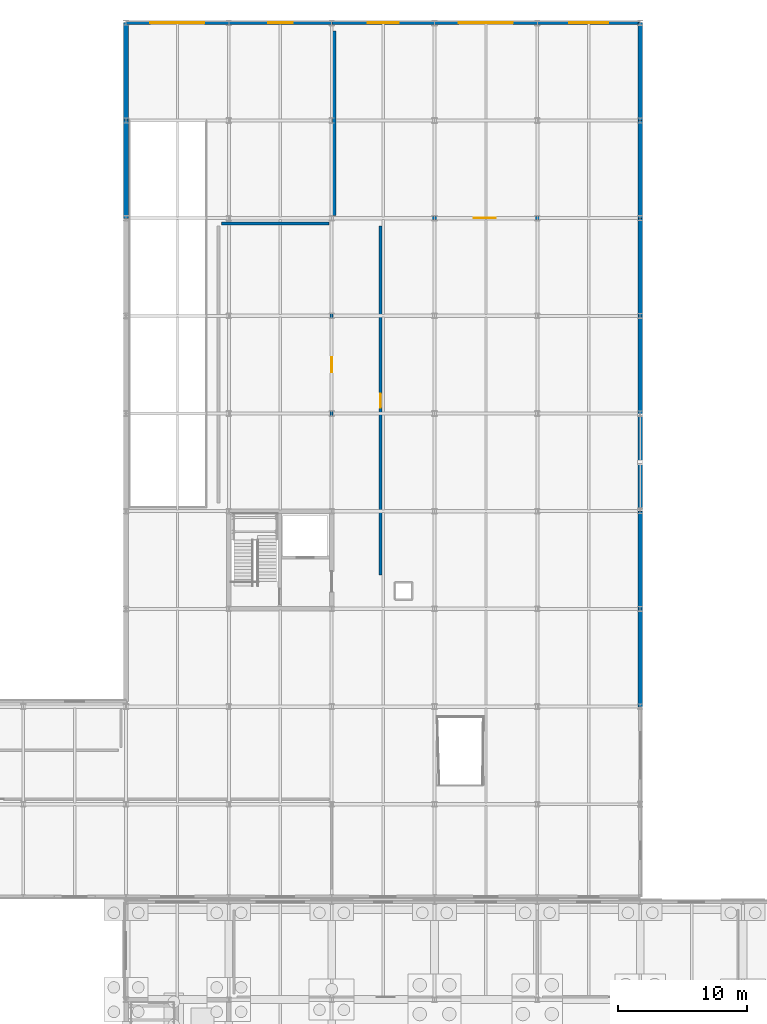
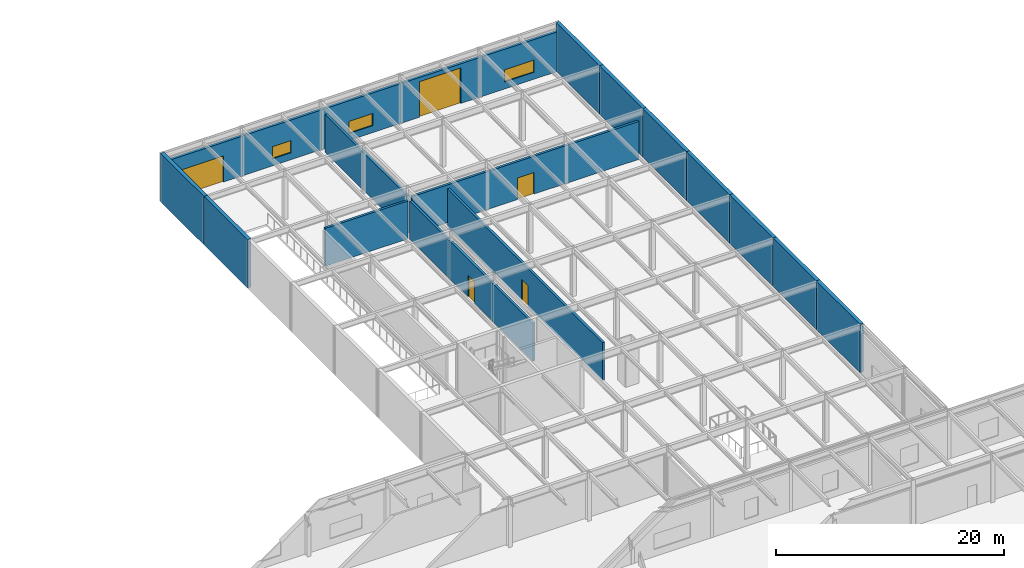
# One storey, part 46 of 62: 19 walls, 5 doors, 3 windows, 8 openings.
"""IFC4 building model written with IfcOpenShell, lengths in metres."""

import ifcopenshell
import ifcopenshell.guid

model = None  # the IFC model being written
_history = None  # IfcOwnerHistory: only IFC2X3 demands one
_inside = {}  # id of a spatial element -> (the spatial element, [elements in it])
_under = {}  # id of a project, library or spatial element -> (it, [spatial elements below it])
_declared = {}  # id of a project -> (the project, [libraries it declares])
_typed = {}  # id of a type object -> (the type object, [elements of that type])
_made_of = {}  # id of a material, layer set ... -> (it, [elements and type objects made of it])


def new_model(schema):
    """Start an empty IFC model of exactly this schema.

    Asked for "IFC4X3", IfcOpenShell would pick the latest addendum, in which some entities
    have other attributes; the version numbers below select the first issue.
    IFC2X3 requires an IfcOwnerHistory on every rooted entity: one is made here for all.
    """
    global model, _history
    if schema == "IFC4X3":
        model = ifcopenshell.file(schema_version=(4, 3, 0, 0))
    else:
        model = ifcopenshell.file(schema=schema)
    _inside.clear()
    _under.clear()
    _declared.clear()
    _typed.clear()
    _made_of.clear()
    _history = None
    if model.schema == "IFC2X3":
        org = make("IfcOrganization", Name="unknown")
        user = make(
            "IfcPersonAndOrganization",
            ThePerson=make("IfcPerson", FamilyName="unknown"),
            TheOrganization=org,
        )
        app = make(
            "IfcApplication",
            ApplicationDeveloper=org,
            Version="unknown",
            ApplicationFullName="unknown",
            ApplicationIdentifier="unknown",
        )
        _history = make(
            "IfcOwnerHistory",
            OwningUser=user,
            OwningApplication=app,
            ChangeAction="ADDED",
            CreationDate=0,
        )
    return model


def make(cls, **values):
    """One entity of the class cls with the attributes given. An attribute that is None is left unset."""
    return model.create_entity(
        cls, **{name: value for name, value in values.items() if value is not None}
    )


def rooted(cls, **values):
    """An entity with a GlobalId (a new one), such as an element, a storey or a relation."""
    return make(cls, GlobalId=ifcopenshell.guid.new(), OwnerHistory=_history, **values)


def si_unit(unit_type, name, prefix=None):
    """IfcSIUnit, for example si_unit("LENGTHUNIT", "METRE", prefix="MILLI")."""
    return make("IfcSIUnit", UnitType=unit_type, Prefix=prefix, Name=name)


def assignment(units):
    """IfcUnitAssignment: the units of a project."""
    return None if units is None else make("IfcUnitAssignment", Units=units)


def point(xyz):
    """IfcCartesianPoint."""
    return None if xyz is None else make("IfcCartesianPoint", Coordinates=xyz)


def direction(xyz):
    """IfcDirection."""
    return None if xyz is None else make("IfcDirection", DirectionRatios=xyz)


def frame(location, z_axis=None, x_axis=None):
    """IfcAxis2Placement3D, a coordinate frame: its origin and axes. An axis left out is left unset."""
    return make(
        "IfcAxis2Placement3D",
        Location=point(location),
        Axis=direction(z_axis),
        RefDirection=direction(x_axis),
    )


def frame_2d(location, x_axis=None):
    """IfcAxis2Placement2D, a coordinate frame in the plane: its origin and x axis."""
    return make(
        "IfcAxis2Placement2D", Location=point(location), RefDirection=direction(x_axis)
    )


def origin():
    """The frame at (0, 0, 0) with its axes left unset."""
    return frame((0.0, 0.0, 0.0))


def place(relative_to, where):
    """IfcLocalPlacement: puts the frame where relative to a parent placement (None: the world)."""
    return make(
        "IfcLocalPlacement", PlacementRelTo=relative_to, RelativePlacement=where
    )


def context(
    kind, dimensions, precision=None, world=None, true_north=None, identifier=None
):
    """IfcGeometricRepresentationContext, for example the 3D "Model" context."""
    return make(
        "IfcGeometricRepresentationContext",
        ContextIdentifier=identifier,
        ContextType=kind,
        CoordinateSpaceDimension=dimensions,
        Precision=precision,
        WorldCoordinateSystem=world,
        TrueNorth=true_north,
    )


def subcontext(parent, identifier, kind, view, scale=None):
    """IfcGeometricRepresentationSubContext, for example "Body" below "Model"."""
    return make(
        "IfcGeometricRepresentationSubContext",
        ContextIdentifier=identifier,
        ContextType=kind,
        ParentContext=parent,
        TargetScale=scale,
        TargetView=view,
    )


def project(units=None, contexts=None):
    """IfcProject with its units and contexts."""
    return rooted(
        "IfcProject",
        Name="project",
        RepresentationContexts=contexts,
        UnitsInContext=assignment(units),
    )


def spatial(cls, under=None, at=None, **own):
    """A site, building, storey or space (cls), placed at a placement, below another one or the project."""
    s = rooted(cls, ObjectPlacement=at, **own)
    if under is not None:
        _under.setdefault(under.id(), (under, []))[1].append(s)
    return s


def profile(cls, at=None, kind="AREA", **sizes):
    """A parametric profile (cls). Its sizes go by their IFC names, for example OverallWidth=200.0."""
    return make(cls, ProfileType=kind, Position=at, **sizes)


def rectangle(**sizes):
    """IfcRectangleProfileDef."""
    return profile("IfcRectangleProfileDef", **sizes)


def extrude(swept, where, along, depth):
    """IfcExtrudedAreaSolid: the profile swept, set in the frame where, extruded along a direction by depth."""
    return make(
        "IfcExtrudedAreaSolid",
        SweptArea=swept,
        Position=where,
        ExtrudedDirection=direction(along),
        Depth=depth,
    )


def shape(context_of_items, identifier, shape_type, items):
    """IfcShapeRepresentation: the items that make up one representation, for example the "Body"."""
    return make(
        "IfcShapeRepresentation",
        ContextOfItems=context_of_items,
        RepresentationIdentifier=identifier,
        RepresentationType=shape_type,
        Items=items,
    )


def material(Name=None, Category=None):
    """IfcMaterial."""
    return make("IfcMaterial", Name=Name, Category=Category)


def layer(
    of_material, thickness, ventilated=None, Name=None, Category=None, Priority=None
):
    """IfcMaterialLayer: one layer of a wall or slab, of a material (None: an air gap)."""
    return make(
        "IfcMaterialLayer",
        Material=of_material,
        LayerThickness=thickness,
        IsVentilated=ventilated,
        Name=Name,
        Category=Category,
        Priority=Priority,
    )


def layer_set(layers, Name=None):
    """IfcMaterialLayerSet."""
    return make("IfcMaterialLayerSet", MaterialLayers=layers, LayerSetName=Name)


def made_of(thing, what):
    """Note that an element or type object is made of a material, layer set ...; save() writes the relation."""
    if what is not None:
        _made_of.setdefault(what.id(), (what, []))[1].append(thing)
    return thing


def type_object(cls, material=None, **own):
    """A type object (cls), such as IfcWallType, which elements share."""
    return made_of(rooted(cls, **own), material)


def element(
    cls,
    number,
    at=None,
    inside=None,
    cuts=None,
    type_object=None,
    material=None,
    context=None,
    identifier="Body",
    shape_type=None,
    held_by="IfcProductDefinitionShape",
    body=None,
    shapes=None,
    **own,
):
    """One element of the class cls, such as IfcWall. Its Tag is "e" and its number.

    at: its placement. inside: the storey or other place that contains it. cuts: it is an
    opening in that element (IfcRelVoidsElement). A single representation is given by context,
    identifier, shape_type and body (its items); several are given by shapes. held_by: the class
    of the entity that holds the representations. save() writes the other relations.
    """
    e = rooted(cls, Tag="e%d" % number, ObjectPlacement=at, **own)
    if body is not None:
        shapes = [shape(context, identifier, shape_type, body)]
    if shapes is not None:
        e.Representation = make(held_by, Representations=shapes)
    if inside is not None:
        _inside.setdefault(inside.id(), (inside, []))[1].append(e)
    if cuts is not None:
        rooted(
            "IfcRelVoidsElement", RelatingBuildingElement=cuts, RelatedOpeningElement=e
        )
    if type_object is not None:
        _typed.setdefault(type_object.id(), (type_object, []))[1].append(e)
    return made_of(e, material)


def fill(opening, filler):
    """IfcRelFillsElement: the door or window that sits in an opening."""
    return rooted(
        "IfcRelFillsElement",
        RelatingOpeningElement=opening,
        RelatedBuildingElement=filler,
    )


def aggregate(whole, parts):
    """IfcRelAggregates: a whole, such as a stair, and the parts it consists of."""
    return rooted("IfcRelAggregates", RelatingObject=whole, RelatedObjects=parts)


def save(model, path):
    """Write the relations noted so far, then the file.

    IfcRelAggregates (storeys below a building ...), IfcRelContainedInSpatialStructure (elements
    in a storey), IfcRelDefinesByType, IfcRelAssociatesMaterial and IfcRelDeclares: one each for
    every whole, place, type object, material and project.
    """
    for whole, parts in _under.values():
        aggregate(whole, parts)
    for where, things in _inside.values():
        rooted(
            "IfcRelContainedInSpatialStructure",
            RelatedElements=things,
            RelatingStructure=where,
        )
    for kind, things in _typed.values():
        rooted("IfcRelDefinesByType", RelatedObjects=things, RelatingType=kind)
    for what, things in _made_of.values():
        rooted("IfcRelAssociatesMaterial", RelatedObjects=things, RelatingMaterial=what)
    for by, libraries in _declared.values():
        rooted("IfcRelDeclares", RelatingContext=by, RelatedDefinitions=libraries)
    model.write(path)


model = new_model("IFC4")

# Units and contexts
model_context = context("Model", 3, precision=1e-05, world=origin(), true_north=direction((0.0, 1.0)))
body_context = subcontext(model_context, "Body", "Model", "MODEL_VIEW")
ifc_project = project(units=[si_unit("LENGTHUNIT", "METRE"), si_unit("AREAUNIT", "SQUARE_METRE"), si_unit("VOLUMEUNIT", "CUBIC_METRE"), si_unit("PLANEANGLEUNIT", "RADIAN"), si_unit("MASSUNIT", "GRAM", prefix="KILO")], contexts=[model_context])

# Site, building, storey
site_placement = place(None, origin())
site = spatial("IfcSite", under=ifc_project, at=site_placement, CompositionType="ELEMENT")
building_placement = place(site_placement, origin())
building = spatial("IfcBuilding", under=site, at=building_placement, Name="Zulena Civic Courthouse", CompositionType="ELEMENT")
storey_placement = place(building_placement, origin())
storey = spatial("IfcBuildingStorey", under=building, at=storey_placement, Name="L00", CompositionType="ELEMENT", Elevation=0.0)

# Wall, opening, door
ifc_material_1 = material(Name="Buff architectural precast concrete C40/50", Category="concrete")
ifc_layer_1 = layer(ifc_material_1, 0.264892578125)
ifc_layer_set_1 = layer_set([ifc_layer_1], Name="Buff architectural precast concrete C40/50")
wall_type_1 = type_object("IfcWallType", Name="ExtWall_BuffPrecast_265", PredefinedType="STANDARD", material=ifc_layer_set_1)
wall_1_placement = place(storey_placement, frame((67.97998046875, 114.0, 0.0), z_axis=(0.0, 0.0, 1.0), x_axis=(1.0, 0.0, 0.0)))
wall_1 = element("IfcWall", 1, at=wall_1_placement, inside=storey, type_object=wall_type_1, Name="ewall:V5:L00:3:0", PredefinedType="STANDARD", context=body_context, shape_type="SweptSolid", body=[
    extrude(rectangle(XDim=8.0400390625, YDim=0.264892578125, at=frame_2d((4.02001953125, 0.0))), origin(), (0.0, 0.0, 1.0), 4.25),
])
opening_1_placement = place(wall_1_placement, frame((1.919921875, 0.0, 0.0)))
opening_1 = element("IfcOpeningElement", 2, at=opening_1_placement, cuts=wall_1, Name="Opening VG01", PredefinedType="OPENING", context=body_context, shape_type="SweptSolid", body=[
    extrude(rectangle(XDim=4.199951171875, YDim=2.800048828125, at=frame_2d((2.10009765625, 1.39990234375))), frame((0.0, 0.142333984375, 0.0), z_axis=(0.0, -1.0, 0.0), x_axis=(1.0, 0.0, 0.0)), (0.0, 0.0, 1.0), 0.284912109375),
])
ifc_material_2 = material(Name="Galvanised architectural steel ASTM A653 Grade 50", Category="steel")
door_type_1 = type_object("IfcDoorType", Name="VehGate_Ramp_4200x2800", OperationType="SLIDING_TO_LEFT", PredefinedType="GATE", material=ifc_material_2)
door_1_placement = place(opening_1_placement, origin())
door_1 = element("IfcDoor", 3, at=door_1_placement, inside=storey, type_object=door_type_1, Name="door:gate:VG01", OperationType="SLIDING_TO_LEFT", OverallHeight=2.800048828125, OverallWidth=4.199951171875, PredefinedType="GATE", context=body_context, shape_type="SweptSolid", body=[
    extrude(rectangle(XDim=4.199951171875, YDim=2.800048828125, at=frame_2d((2.10009765625, 1.39990234375))), frame((0.0, 0.02490234375, 0.0), z_axis=(0.0, -1.0, 0.0), x_axis=(1.0, 0.0, 0.0)), (0.0, 0.0, 1.0), 0.050048828125),
])
fill(opening_1, door_1)

# Wall, opening, window
wall_2_placement = place(storey_placement, frame((75.97998046875, 114.0, 0.0), z_axis=(0.0, 0.0, 1.0), x_axis=(1.0, 0.0, 0.0)))
wall_2 = element("IfcWall", 4, at=wall_2_placement, inside=storey, type_object=wall_type_1, Name="ewall:V5:L00:3:1", PredefinedType="STANDARD", context=body_context, shape_type="SweptSolid", body=[
    extrude(rectangle(XDim=8.0400390625, YDim=0.264892578125, at=frame_2d((4.02001953125, 0.0))), origin(), (0.0, 0.0, 1.0), 4.25),
])
opening_2_placement = place(wall_2_placement, frame((3.070068359375, 0.0, 0.75)))
opening_2 = element("IfcOpeningElement", 5, at=opening_2_placement, cuts=wall_2, Name="Opening WN31", PredefinedType="OPENING", context=body_context, shape_type="SweptSolid", body=[
    extrude(rectangle(XDim=1.89990234375, YDim=1.300048828125, at=frame_2d((0.949951171875, 0.64990234375))), frame((0.0, 0.142333984375, 0.0), z_axis=(0.0, -1.0, 0.0), x_axis=(1.0, 0.0, 0.0)), (0.0, 0.0, 1.0), 0.284912109375),
])
ifc_material_3 = material(Name="Double-silver low-E laminated solar-control glass", Category="glass")
window_type_1 = type_object("IfcWindowType", Name="Win_1900x1300", PartitioningType="DOUBLE_PANEL_VERTICAL", PredefinedType="WINDOW", material=ifc_material_3)
window_1_placement = place(opening_2_placement, origin())
window_1 = element("IfcWindow", 6, at=window_1_placement, inside=storey, type_object=window_type_1, Name="win:V5:L00:3:1", OverallHeight=1.300048828125, OverallWidth=1.89990234375, PartitioningType="SINGLE_PANEL", PredefinedType="WINDOW", context=body_context, shape_type="SweptSolid", body=[
    extrude(rectangle(XDim=1.89990234375, YDim=1.300048828125, at=frame_2d((0.949951171875, 0.64990234375))), frame((0.0, 0.030029296875, 0.0), z_axis=(0.0, -1.0, 0.0), x_axis=(1.0, 0.0, 0.0)), (0.0, 0.0, 1.0), 0.06005859375),
])
fill(opening_2, window_1)

wall_3_placement = place(storey_placement, frame((83.97998046875, 114.0, 0.0), z_axis=(0.0, 0.0, 1.0), x_axis=(1.0, 0.0, 0.0)))
wall_3 = element("IfcWall", 7, at=wall_3_placement, inside=storey, type_object=wall_type_1, Name="ewall:V5:L00:3:2", PredefinedType="STANDARD", context=body_context, shape_type="SweptSolid", body=[
    extrude(rectangle(XDim=8.0400390625, YDim=0.264892578125, at=frame_2d((4.02001953125, 0.0))), origin(), (0.0, 0.0, 1.0), 4.25),
])
opening_3_placement = place(wall_3_placement, frame((2.820068359375, 0.0, 0.75)))
opening_3 = element("IfcOpeningElement", 8, at=opening_3_placement, cuts=wall_3, Name="Opening WN32", PredefinedType="OPENING", context=body_context, shape_type="SweptSolid", body=[
    extrude(rectangle(XDim=2.39990234375, YDim=1.300048828125, at=frame_2d((1.199951171875, 0.64990234375))), frame((0.0, 0.142333984375, 0.0), z_axis=(0.0, -1.0, 0.0), x_axis=(1.0, 0.0, 0.0)), (0.0, 0.0, 1.0), 0.284912109375),
])
window_type_2 = type_object("IfcWindowType", Name="Win_2400x1300", PartitioningType="DOUBLE_PANEL_VERTICAL", PredefinedType="WINDOW", material=ifc_material_3)
window_2_placement = place(opening_3_placement, origin())
window_2 = element("IfcWindow", 9, at=window_2_placement, inside=storey, type_object=window_type_2, Name="win:V5:L00:3:2", OverallHeight=1.300048828125, OverallWidth=2.39990234375, PartitioningType="SINGLE_PANEL", PredefinedType="WINDOW", context=body_context, shape_type="SweptSolid", body=[
    extrude(rectangle(XDim=2.39990234375, YDim=1.300048828125, at=frame_2d((1.199951171875, 0.64990234375))), frame((0.0, 0.030029296875, 0.0), z_axis=(0.0, -1.0, 0.0), x_axis=(1.0, 0.0, 0.0)), (0.0, 0.0, 1.0), 0.06005859375),
])
fill(opening_3, window_2)

# Wall, opening, door
wall_4_placement = place(storey_placement, frame((91.97998046875, 114.0, 0.0), z_axis=(0.0, 0.0, 1.0), x_axis=(1.0, 0.0, 0.0)))
wall_4 = element("IfcWall", 10, at=wall_4_placement, inside=storey, type_object=wall_type_1, Name="ewall:V5:L00:3:3", PredefinedType="STANDARD", context=body_context, shape_type="SweptSolid", body=[
    extrude(rectangle(XDim=8.0400390625, YDim=0.264892578125, at=frame_2d((4.02001953125, 0.0))), origin(), (0.0, 0.0, 1.0), 4.25),
])
opening_4_placement = place(wall_4_placement, frame((1.919921875, 0.0, 0.0)))
opening_4 = element("IfcOpeningElement", 11, at=opening_4_placement, cuts=wall_4, Name="Opening VG02", PredefinedType="OPENING", context=body_context, shape_type="SweptSolid", body=[
    extrude(rectangle(XDim=4.199951171875, YDim=3.800048828125, at=frame_2d((2.10009765625, 1.89990234375))), frame((0.0, 0.142333984375, 0.0), z_axis=(0.0, -1.0, 0.0), x_axis=(1.0, 0.0, 0.0)), (0.0, 0.0, 1.0), 0.284912109375),
])
door_type_2 = type_object("IfcDoorType", Name="VehGate_Sallyport_4200x3800", OperationType="SLIDING_TO_LEFT", PredefinedType="GATE", material=ifc_material_2)
door_2_placement = place(opening_4_placement, origin())
door_2 = element("IfcDoor", 12, at=door_2_placement, inside=storey, type_object=door_type_2, Name="door:gate:VG02N", OperationType="SLIDING_TO_LEFT", OverallHeight=3.800048828125, OverallWidth=4.199951171875, PredefinedType="GATE", context=body_context, shape_type="SweptSolid", body=[
    extrude(rectangle(XDim=4.199951171875, YDim=3.800048828125, at=frame_2d((2.10009765625, 1.89990234375))), frame((0.0, 0.02490234375, 0.0), z_axis=(0.0, -1.0, 0.0), x_axis=(1.0, 0.0, 0.0)), (0.0, 0.0, 1.0), 0.050048828125),
])
fill(opening_4, door_2)

# Wall, opening, window
wall_5_placement = place(storey_placement, frame((99.97998046875, 114.0, 0.0), z_axis=(0.0, 0.0, 1.0), x_axis=(1.0, 0.0, 0.0)))
wall_5 = element("IfcWall", 13, at=wall_5_placement, inside=storey, type_object=wall_type_1, Name="ewall:V5:L00:3:4", PredefinedType="STANDARD", context=body_context, shape_type="SweptSolid", body=[
    extrude(rectangle(XDim=8.0400390625, YDim=0.264892578125, at=frame_2d((4.02001953125, 0.0))), origin(), (0.0, 0.0, 1.0), 4.25),
])
opening_5_placement = place(wall_5_placement, frame((2.52001953125, 0.0, 0.75)))
opening_5 = element("IfcOpeningElement", 14, at=opening_5_placement, cuts=wall_5, Name="Opening WN33", PredefinedType="OPENING", context=body_context, shape_type="SweptSolid", body=[
    extrude(rectangle(XDim=3.0, YDim=1.300048828125, at=frame_2d((1.5, 0.64990234375))), frame((0.0, 0.142333984375, 0.0), z_axis=(0.0, -1.0, 0.0), x_axis=(1.0, 0.0, 0.0)), (0.0, 0.0, 1.0), 0.284912109375),
])
window_type_3 = type_object("IfcWindowType", Name="Win_3000x1300", PartitioningType="DOUBLE_PANEL_VERTICAL", PredefinedType="WINDOW", material=ifc_material_3)
window_3_placement = place(opening_5_placement, origin())
window_3 = element("IfcWindow", 15, at=window_3_placement, inside=storey, type_object=window_type_3, Name="win:V5:L00:3:4", OverallHeight=1.300048828125, OverallWidth=3.0, PartitioningType="SINGLE_PANEL", PredefinedType="WINDOW", context=body_context, shape_type="SweptSolid", body=[
    extrude(rectangle(XDim=3.0, YDim=1.300048828125, at=frame_2d((1.5, 0.64990234375))), frame((0.0, 0.030029296875, 0.0), z_axis=(0.0, -1.0, 0.0), x_axis=(1.0, 0.0, 0.0)), (0.0, 0.0, 1.0), 0.06005859375),
])
fill(opening_5, window_3)

# Walls
ifc_material_4 = material(Name="Concrete C40/50", Category="concrete")
ifc_layer_2 = layer(ifc_material_4, 0.360107421875)
ifc_layer_set_2 = layer_set([ifc_layer_2], Name="Concrete C40/50")
wall_type_2 = type_object("IfcWallType", Name="ExtWall_PartyWall_360", PredefinedType="STANDARD", material=ifc_layer_set_2)
wall_6_placement = place(storey_placement, frame((68.0, 98.780029296875, 0.0), z_axis=(0.0, 0.0, 1.0), x_axis=(0.0, 1.0, 0.0)))
element("IfcWall", 16, at=wall_6_placement, inside=storey, type_object=wall_type_2, Name="ewall:V5:L00:2:5", PredefinedType="STANDARD", context=body_context, shape_type="SweptSolid", body=[
    extrude(rectangle(XDim=7.639892578125, YDim=0.360107421875, at=frame_2d((3.81982421875, 0.0))), origin(), (0.0, 0.0, 1.0), 5.18994140625),
])
for number, where, z_axis, x_axis, name in (
    (17, (68.0, 106.3798828125, 0.0), (0.0, 0.0, 1.0), (0.0, 1.0, 0.0), "ewall:V5:L00:2:6"),
    (18, (108.0, 114.02001953125, 0.0), (0.0, 0.0, 1.0), (0.0, -1.0, 0.0), "ewall:V5:L00:4:0"),
):
    element("IfcWall", number, at=place(storey_placement, frame(where, z_axis=z_axis, x_axis=x_axis)), inside=storey, type_object=wall_type_2, Name=name, PredefinedType="STANDARD", context=body_context, shape_type="SweptSolid", body=[
        extrude(rectangle(XDim=7.64013671875, YDim=0.360107421875, at=frame_2d((3.820068359375, 0.0))), origin(), (0.0, 0.0, 1.0), 5.18994140625),
    ])
wall_7_placement = place(storey_placement, frame((108.0, 106.419921875, 0.0), z_axis=(0.0, 0.0, 1.0), x_axis=(0.0, -1.0, 0.0)))
element("IfcWall", 19, at=wall_7_placement, inside=storey, type_object=wall_type_2, Name="ewall:V5:L00:4:1", PredefinedType="STANDARD", context=body_context, shape_type="SweptSolid", body=[
    extrude(rectangle(XDim=7.639892578125, YDim=0.360107421875, at=frame_2d((3.81982421875, 0.0))), origin(), (0.0, 0.0, 1.0), 5.18994140625),
])
wall_8_placement = place(storey_placement, frame((108.0, 98.820068359375, 0.0), z_axis=(0.0, 0.0, 1.0), x_axis=(0.0, -1.0, 0.0)))
element("IfcWall", 20, at=wall_8_placement, inside=storey, type_object=wall_type_2, Name="ewall:V5:L00:4:2", PredefinedType="STANDARD", context=body_context, shape_type="SweptSolid", body=[
    extrude(rectangle(XDim=7.64013671875, YDim=0.360107421875, at=frame_2d((3.820068359375, 0.0))), origin(), (0.0, 0.0, 1.0), 5.18994140625),
])
wall_9_placement = place(storey_placement, frame((108.0, 91.219970703125, 0.0), z_axis=(0.0, 0.0, 1.0), x_axis=(0.0, -1.0, 0.0)))
element("IfcWall", 21, at=wall_9_placement, inside=storey, type_object=wall_type_2, Name="ewall:V5:L00:4:3", PredefinedType="STANDARD", context=body_context, shape_type="SweptSolid", body=[
    extrude(rectangle(XDim=7.639892578125, YDim=0.360107421875, at=frame_2d((3.81982421875, 0.0))), origin(), (0.0, 0.0, 1.0), 5.18994140625),
])
for number, where, z_axis, x_axis, name in (
    (22, (108.0, 83.6201171875, 0.0), (0.0, 0.0, 1.0), (0.0, -1.0, 0.0), "ewall:V5:L00:4:4"),
    (23, (108.0, 76.02001953125, 0.0), (0.0, 0.0, 1.0), (0.0, -1.0, 0.0), "ewall:V5:L00:4:5"),
):
    element("IfcWall", number, at=place(storey_placement, frame(where, z_axis=z_axis, x_axis=x_axis)), inside=storey, type_object=wall_type_2, Name=name, PredefinedType="STANDARD", context=body_context, shape_type="SweptSolid", body=[
        extrude(rectangle(XDim=7.64013671875, YDim=0.360107421875, at=frame_2d((3.820068359375, 0.0))), origin(), (0.0, 0.0, 1.0), 5.18994140625),
    ])
wall_10_placement = place(storey_placement, frame((108.0, 68.419921875, 0.0), z_axis=(0.0, 0.0, 1.0), x_axis=(0.0, -1.0, 0.0)))
element("IfcWall", 24, at=wall_10_placement, inside=storey, type_object=wall_type_2, Name="ewall:V5:L00:4:6", PredefinedType="STANDARD", context=body_context, shape_type="SweptSolid", body=[
    extrude(rectangle(XDim=7.639892578125, YDim=0.360107421875, at=frame_2d((3.81982421875, 0.0))), origin(), (0.0, 0.0, 1.0), 5.18994140625),
])

# Wall, opening, door
ifc_material_5 = material(Name="Insulated blockwork masonry ASTM C90", Category="masonry")
ifc_layer_3 = layer(ifc_material_5, 0.239990234375)
ifc_layer_set_3 = layer_set([ifc_layer_3], Name="Insulated blockwork masonry ASTM C90")
wall_type_3 = type_object("IfcWallType", Name="PartWall_Custody_240", PredefinedType="PARTITIONING", material=ifc_layer_set_3)
wall_11_placement = place(storey_placement, frame((84.419921875, 98.800048828125, 0.0), z_axis=(0.0, 0.0, 1.0), x_axis=(1.0, 0.0, 0.0)))
wall_11 = element("IfcWall", 25, at=wall_11_placement, inside=storey, type_object=wall_type_3, Name="pwall:L00:373:0", PredefinedType="PARTITIONING", context=body_context, shape_type="SweptSolid", body=[
    extrude(rectangle(XDim=22.9599609375, YDim=0.239990234375, at=frame_2d((11.47998046875, 0.0))), origin(), (0.0, 0.0, 1.0), 4.050048828125),
])
opening_6_placement = place(wall_11_placement, frame((10.6298828125, 0.0, 0.0)))
opening_6 = element("IfcOpeningElement", 26, at=opening_6_placement, cuts=wall_11, Name="Opening ID25", PredefinedType="OPENING", context=body_context, shape_type="SweptSolid", body=[
    extrude(rectangle(XDim=1.699951171875, YDim=2.300048828125, at=frame_2d((0.85009765625, 1.14990234375))), frame((0.0, 0.1298828125, 0.0), z_axis=(0.0, -1.0, 0.0), x_axis=(1.0, 0.0, 0.0)), (0.0, 0.0, 1.0), 0.260009765625),
])
ifc_material_6 = material(Name="Fire-rated galvanised steel ASTM A653 Grade 50", Category="steel")
door_type_3 = type_object("IfcDoorType", Name="IntDoor_PlantDouble_1700x2300", OperationType="DOUBLE_DOOR_SINGLE_SWING", PredefinedType="DOOR", material=ifc_material_6)
door_3_placement = place(opening_6_placement, origin())
door_3 = element("IfcDoor", 27, at=door_3_placement, inside=storey, type_object=door_type_3, Name="door:rm:L00:373", OperationType="DOUBLE_DOOR_SINGLE_SWING", OverallHeight=2.300048828125, OverallWidth=1.699951171875, PredefinedType="DOOR", context=body_context, shape_type="SweptSolid", body=[
    extrude(rectangle(XDim=1.699951171875, YDim=2.300048828125, at=frame_2d((0.85009765625, 1.14990234375))), frame((0.0, 0.02490234375, 0.0), z_axis=(0.0, -1.0, 0.0), x_axis=(1.0, 0.0, 0.0)), (0.0, 0.0, 1.0), 0.050048828125),
])
fill(opening_6, door_3)

# Wall
wall_12_placement = place(storey_placement, frame((84.199951171875, 99.02001953125, 0.0), z_axis=(0.0, 0.0, 1.0), x_axis=(0.0, 1.0, 0.0)))
element("IfcWall", 28, at=wall_12_placement, inside=storey, type_object=wall_type_3, Name="pwall:L00:373:1", PredefinedType="PARTITIONING", context=body_context, shape_type="SweptSolid", body=[
    extrude(rectangle(XDim=14.35986328125, YDim=0.239990234375, at=frame_2d((7.179931640625, 0.0))), origin(), (0.0, 0.0, 1.0), 4.050048828125),
])

# Wall, opening, door
wall_13_placement = place(storey_placement, frame((87.800048828125, 71.02001953125, 0.0), z_axis=(0.0, 0.0, 1.0), x_axis=(0.0, 1.0, 0.0)))
wall_13 = element("IfcWall", 29, at=wall_13_placement, inside=storey, type_object=wall_type_3, Name="pwall:L00:374:0", PredefinedType="PARTITIONING", context=body_context, shape_type="SweptSolid", body=[
    extrude(rectangle(XDim=27.159912109375, YDim=0.239990234375, at=frame_2d((13.580078125, 0.0))), origin(), (0.0, 0.0, 1.0), 4.050048828125),
])
opening_7_placement = place(wall_13_placement, frame((13.0400390625, 0.0, 0.0)))
opening_7 = element("IfcOpeningElement", 30, at=opening_7_placement, cuts=wall_13, Name="Opening ID26", PredefinedType="OPENING", context=body_context, shape_type="SweptSolid", body=[
    extrude(rectangle(XDim=1.080078125, YDim=2.25, at=frame_2d((0.5400390625, 1.125))), frame((0.0, 0.1298828125, 0.0), z_axis=(0.0, -1.0, 0.0), x_axis=(1.0, 0.0, 0.0)), (0.0, 0.0, 1.0), 0.260009765625),
])
door_type_4 = type_object("IfcDoorType", Name="IntDoor_PlantSingle_1080x2250", OperationType="NOTDEFINED", PredefinedType="DOOR", material=ifc_material_6)
door_4_placement = place(opening_7_placement, origin())
door_4 = element("IfcDoor", 31, at=door_4_placement, inside=storey, type_object=door_type_4, Name="door:rm:L00:374", OperationType="SINGLE_SWING_RIGHT", OverallHeight=2.25, OverallWidth=1.080078125, PredefinedType="DOOR", context=body_context, shape_type="SweptSolid", body=[
    extrude(rectangle(XDim=1.080078125, YDim=2.25, at=frame_2d((0.5400390625, 1.125))), frame((0.0, 0.02490234375, 0.0), z_axis=(0.0, -1.0, 0.0), x_axis=(1.0, 0.0, 0.0)), (0.0, 0.0, 1.0), 0.050048828125),
])
fill(opening_7, door_4)

wall_14_placement = place(storey_placement, frame((84.0, 76.6201171875, 0.0), z_axis=(0.0, 0.0, 1.0), x_axis=(0.0, 1.0, 0.0)))
wall_14 = element("IfcWall", 32, at=wall_14_placement, inside=storey, type_object=wall_type_3, Name="pwall:L00:375:0", PredefinedType="PARTITIONING", context=body_context, shape_type="SweptSolid", body=[
    extrude(rectangle(XDim=21.559814453125, YDim=0.239990234375, at=frame_2d((10.77978515625, 0.0))), origin(), (0.0, 0.0, 1.0), 4.050048828125),
])
opening_8_placement = place(wall_14_placement, frame((10.18994140625, 0.0, 0.0)))
opening_8 = element("IfcOpeningElement", 33, at=opening_8_placement, cuts=wall_14, Name="Opening ID27", PredefinedType="OPENING", context=body_context, shape_type="SweptSolid", body=[
    extrude(rectangle(XDim=1.179931640625, YDim=2.300048828125, at=frame_2d((0.58984375, 1.14990234375))), frame((0.0, 0.1298828125, 0.0), z_axis=(0.0, -1.0, 0.0), x_axis=(1.0, 0.0, 0.0)), (0.0, 0.0, 1.0), 0.260009765625),
])
door_type_5 = type_object("IfcDoorType", Name="IntDoor_FCC_1180x2300", OperationType="NOTDEFINED", PredefinedType="DOOR", material=ifc_material_6)
door_5_placement = place(opening_8_placement, origin())
door_5 = element("IfcDoor", 34, at=door_5_placement, inside=storey, type_object=door_type_5, Name="door:rm:L00:375", OperationType="SINGLE_SWING_LEFT", OverallHeight=2.300048828125, OverallWidth=1.179931640625, PredefinedType="DOOR", context=body_context, shape_type="SweptSolid", body=[
    extrude(rectangle(XDim=1.179931640625, YDim=2.300048828125, at=frame_2d((0.58984375, 1.14990234375))), frame((0.0, 0.02490234375, 0.0), z_axis=(0.0, -1.0, 0.0), x_axis=(1.0, 0.0, 0.0)), (0.0, 0.0, 1.0), 0.050048828125),
])
fill(opening_8, door_5)

# Wall
wall_15_placement = place(storey_placement, frame((75.419921875, 98.39990234375, 0.0), z_axis=(0.0, 0.0, 1.0), x_axis=(1.0, 0.0, 0.0)))
element("IfcWall", 35, at=wall_15_placement, inside=storey, type_object=wall_type_3, Name="pwall:L00:375:1", PredefinedType="PARTITIONING", context=body_context, shape_type="SweptSolid", body=[
    extrude(rectangle(XDim=8.360107421875, YDim=0.239990234375, at=frame_2d((4.18017578125, 0.0))), origin(), (0.0, 0.0, 1.0), 4.050048828125),
])

save(model, "model.ifc")
